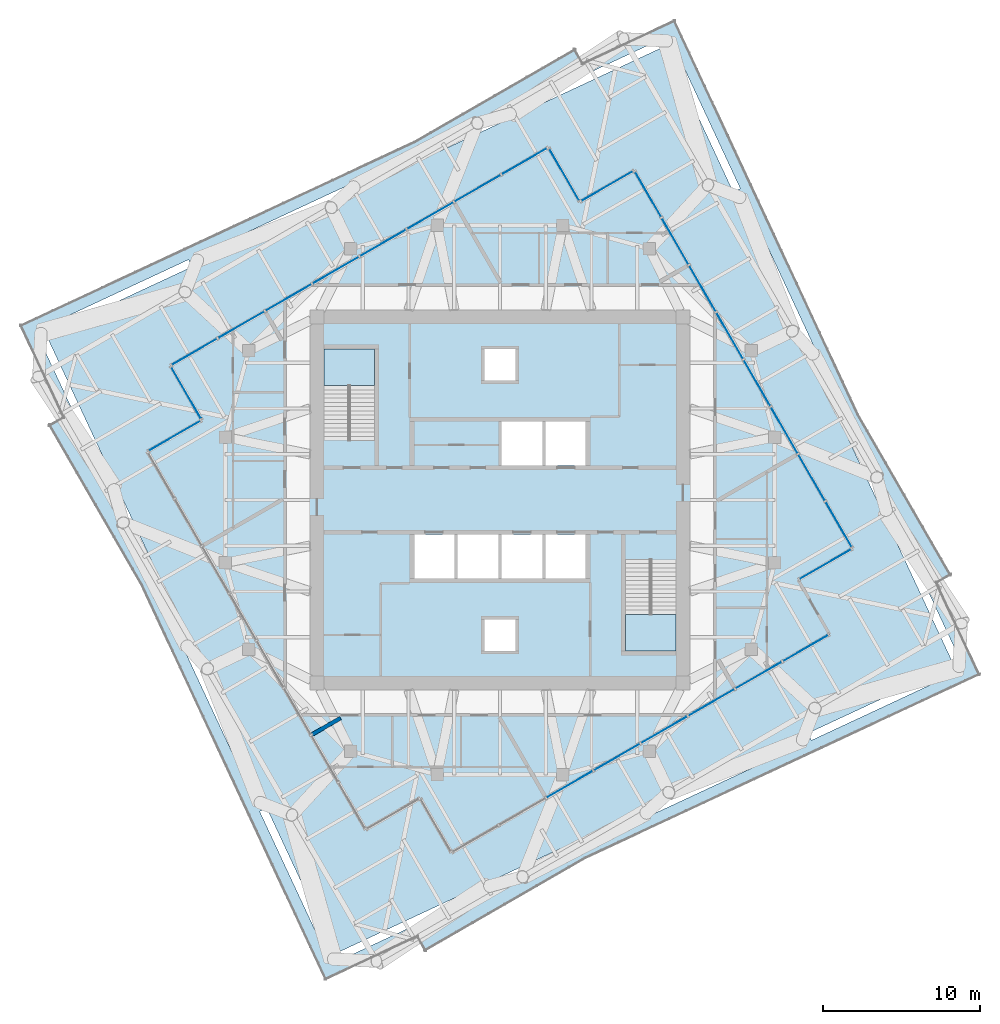
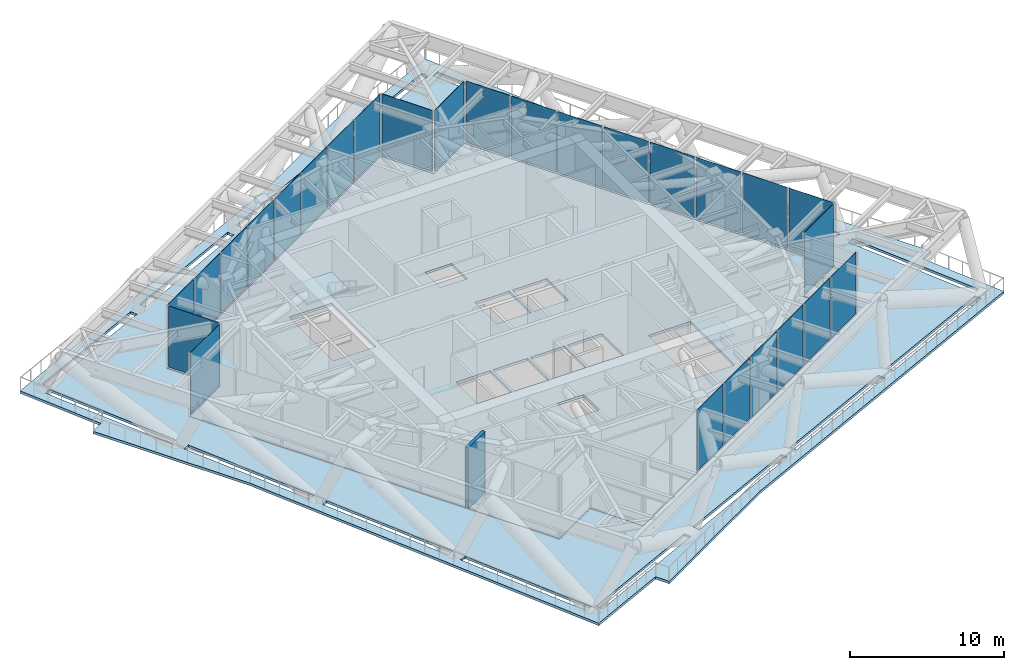
# One storey, part 7 of 12: 27 plates, 4 slabs, 1 wall, 10 elements without a shape of their own.
"""IFC4 building model written with IfcOpenShell, lengths in metres."""

from ifc_helpers import new_model, si_unit, direction, frame, frame_2d, origin, origin_2d, place, context, subcontext, project, spatial, polyline, rectangle, outline, extrude, material, layer, layer_set, type_object, element, aggregate, save


model = new_model("IFC4")

# Units and contexts
model_context = context("Model", 3, precision=1e-05, world=origin(), true_north=direction((0.0, 1.0)))
body_context = subcontext(model_context, "Body", "Model", "MODEL_VIEW")
ifc_project = project(units=[si_unit("LENGTHUNIT", "METRE"), si_unit("AREAUNIT", "SQUARE_METRE"), si_unit("VOLUMEUNIT", "CUBIC_METRE"), si_unit("PLANEANGLEUNIT", "RADIAN"), si_unit("MASSUNIT", "GRAM", prefix="KILO")], contexts=[model_context])

# Site, building, storey
site_placement = place(None, origin())
site = spatial("IfcSite", under=ifc_project, at=site_placement, CompositionType="ELEMENT")
building_placement = place(site_placement, origin())
building = spatial("IfcBuilding", under=site, at=building_placement, Name="Torsade Residences", CompositionType="ELEMENT")
storey_placement = place(building_placement, frame((0.0, 0.0, 203.199951171875)))
storey = spatial("IfcBuildingStorey", under=building, at=storey_placement, Name="L56", CompositionType="ELEMENT", Elevation=203.199951171875)

# Curtain wall, plates
ifc_material_1 = material(Name="Aluminium and glass", Category="aluminium")
curtain_wall_type = type_object("IfcCurtainWallType", Name="TRANSFER LEVEL CURTAIN WALL HIGH ZONE", PredefinedType="NOTDEFINED", material=ifc_material_1)
curtain_wall_1_placement = place(storey_placement, origin())
curtain_wall_1 = element("IfcCurtainWall", 1, at=curtain_wall_1_placement, inside=storey, type_object=curtain_wall_type, Name="Curtain wall L56 face 1", PredefinedType="NOTDEFINED")
ifc_material_2 = material(Name="Laminated glass", Category="glass")
ifc_layer_1 = layer(ifc_material_2, 0.02392578125)
ifc_layer_set_1 = layer_set([ifc_layer_1], Name="Laminated glass")
plate_type = type_object("IfcPlateType", Name="CLEAR GLASS PANEL", PredefinedType="CURTAIN_PANEL", material=ifc_layer_set_1)
plate_1_placement = place(storey_placement, frame((44.435791015625, 11.891845703125, 0.14013671875), z_axis=(0.0, 0.0, 1.0), x_axis=(0.86602540176, 0.500000003507, 0.0)))
plate_1 = element("IfcPlate", 2, at=plate_1_placement, type_object=plate_type, Name="Panel 3", PredefinedType="CURTAIN_PANEL", context=body_context, shape_type="SweptSolid", body=[
    extrude(rectangle(XDim=3.35498046875, YDim=0.02392578125, at=origin_2d()), origin(), (0.0, 0.0, 1.0), 4.860107421875),
])
plate_2_placement = place(storey_placement, frame((47.4453125, 13.62939453125, 0.14013671875), z_axis=(0.0, 0.0, 1.0), x_axis=(0.86602540176, 0.500000003507, 0.0)))
plate_2 = element("IfcPlate", 3, at=plate_2_placement, type_object=plate_type, Name="Panel 4", PredefinedType="CURTAIN_PANEL", context=body_context, shape_type="SweptSolid", body=[
    extrude(rectangle(XDim=3.35498046875, YDim=0.02392578125, at=origin_2d()), origin(), (0.0, 0.0, 1.0), 4.860107421875),
])
plate_3_placement = place(storey_placement, frame((50.454833984375, 15.366943359375, 0.14013671875), z_axis=(0.0, 0.0, 1.0), x_axis=(0.86602540176, 0.500000003507, 0.0)))
plate_3 = element("IfcPlate", 4, at=plate_3_placement, type_object=plate_type, Name="Panel 5", PredefinedType="CURTAIN_PANEL", context=body_context, shape_type="SweptSolid", body=[
    extrude(rectangle(XDim=3.35498046875, YDim=0.02392578125, at=origin_2d()), origin(), (0.0, 0.0, 1.0), 4.860107421875),
])
plate_4_placement = place(storey_placement, frame((53.464111328125, 17.1044921875, 0.14013671875), z_axis=(0.0, 0.0, 1.0), x_axis=(0.86602540176, 0.500000003507, 0.0)))
plate_4 = element("IfcPlate", 5, at=plate_4_placement, type_object=plate_type, Name="Panel 6", PredefinedType="CURTAIN_PANEL", context=body_context, shape_type="SweptSolid", body=[
    extrude(rectangle(XDim=3.35498046875, YDim=0.02392578125, at=origin_2d()), origin(), (0.0, 0.0, 1.0), 4.860107421875),
])
plate_5_placement = place(storey_placement, frame((56.4736328125, 18.841796875, 0.14013671875), z_axis=(0.0, 0.0, 1.0), x_axis=(0.86602540176, 0.500000003507, 0.0)))
plate_5 = element("IfcPlate", 6, at=plate_5_placement, type_object=plate_type, Name="Panel 7", PredefinedType="CURTAIN_PANEL", context=body_context, shape_type="SweptSolid", body=[
    extrude(rectangle(XDim=3.35498046875, YDim=0.02392578125, at=origin_2d()), origin(), (0.0, 0.0, 1.0), 4.860107421875),
])
plate_6_placement = place(storey_placement, frame((59.45703125, 20.564453125, 0.14013671875), z_axis=(0.0, 0.0, 1.0), x_axis=(0.86602540176, 0.500000003507, 0.0)))
plate_6 = element("IfcPlate", 7, at=plate_6_placement, type_object=plate_type, Name="Panel 8", PredefinedType="CURTAIN_PANEL", context=body_context, shape_type="SweptSolid", body=[
    extrude(rectangle(XDim=3.294921875, YDim=0.02392578125, at=origin_2d()), origin(), (0.0, 0.0, 1.0), 4.860107421875),
])
aggregate(curtain_wall_1, [plate_1, plate_2, plate_3, plate_4, plate_5, plate_6])

# Curtain wall, plate
curtain_wall_2_placement = place(storey_placement, origin())
curtain_wall_2 = element("IfcCurtainWall", 8, at=curtain_wall_2_placement, inside=storey, type_object=curtain_wall_type, Name="Curtain wall L56 face 3", PredefinedType="NOTDEFINED")
plate_7_placement = place(storey_placement, frame((60.7197265625, 25.912353515625, 0.14013671875), z_axis=(0.0, 0.0, 1.0), x_axis=(0.866025427835, 0.499999958343, 0.0)))
plate_7 = element("IfcPlate", 9, at=plate_7_placement, type_object=plate_type, Name="Panel 1", PredefinedType="CURTAIN_PANEL", context=body_context, shape_type="SweptSolid", body=[
    extrude(rectangle(XDim=3.760009765625, YDim=0.02392578125, at=origin_2d()), origin(), (0.0, 0.0, 1.0), 4.860107421875),
])
aggregate(curtain_wall_2, [plate_7])

# Curtain wall, plates
curtain_wall_3_placement = place(storey_placement, origin())
curtain_wall_3 = element("IfcCurtainWall", 10, at=curtain_wall_3_placement, inside=storey, type_object=curtain_wall_type, Name="Curtain wall L56 face 4", PredefinedType="NOTDEFINED")
plate_8_placement = place(storey_placement, frame((61.568115234375, 28.44287109375, 0.14013671875), z_axis=(0.0, 0.0, 1.0), x_axis=(-0.500000003507, 0.86602540176, 0.0)))
plate_8 = element("IfcPlate", 11, at=plate_8_placement, type_object=plate_type, Name="Panel 1", PredefinedType="CURTAIN_PANEL", context=body_context, shape_type="SweptSolid", body=[
    extrude(rectangle(XDim=3.294921875, YDim=0.02392578125, at=origin_2d()), origin(), (0.0, 0.0, 1.0), 4.860107421875),
])
plate_9_placement = place(storey_placement, frame((59.845703125, 31.426513671875, 0.14013671875), z_axis=(0.0, 0.0, 1.0), x_axis=(-0.500000003507, 0.86602540176, 0.0)))
plate_9 = element("IfcPlate", 12, at=plate_9_placement, type_object=plate_type, Name="Panel 2", PredefinedType="CURTAIN_PANEL", context=body_context, shape_type="SweptSolid", body=[
    extrude(rectangle(XDim=3.35498046875, YDim=0.02392578125, at=origin_2d()), origin(), (0.0, 0.0, 1.0), 4.860107421875),
])
plate_10_placement = place(storey_placement, frame((58.108154296875, 34.435791015625, 0.14013671875), z_axis=(0.0, 0.0, 1.0), x_axis=(-0.500000003507, 0.86602540176, 0.0)))
plate_10 = element("IfcPlate", 13, at=plate_10_placement, type_object=plate_type, Name="Panel 3", PredefinedType="CURTAIN_PANEL", context=body_context, shape_type="SweptSolid", body=[
    extrude(rectangle(XDim=3.35498046875, YDim=0.02392578125, at=origin_2d()), origin(), (0.0, 0.0, 1.0), 4.860107421875),
])
plate_11_placement = place(storey_placement, frame((56.37060546875, 37.4453125, 0.14013671875), z_axis=(0.0, 0.0, 1.0), x_axis=(-0.500000003507, 0.86602540176, 0.0)))
plate_11 = element("IfcPlate", 14, at=plate_11_placement, type_object=plate_type, Name="Panel 4", PredefinedType="CURTAIN_PANEL", context=body_context, shape_type="SweptSolid", body=[
    extrude(rectangle(XDim=3.35498046875, YDim=0.02392578125, at=origin_2d()), origin(), (0.0, 0.0, 1.0), 4.860107421875),
])
plate_12_placement = place(storey_placement, frame((54.633056640625, 40.454833984375, 0.14013671875), z_axis=(0.0, 0.0, 1.0), x_axis=(-0.500000003507, 0.86602540176, 0.0)))
plate_12 = element("IfcPlate", 15, at=plate_12_placement, type_object=plate_type, Name="Panel 5", PredefinedType="CURTAIN_PANEL", context=body_context, shape_type="SweptSolid", body=[
    extrude(rectangle(XDim=3.35498046875, YDim=0.02392578125, at=origin_2d()), origin(), (0.0, 0.0, 1.0), 4.860107421875),
])
plate_13_placement = place(storey_placement, frame((52.8955078125, 43.464111328125, 0.14013671875), z_axis=(0.0, 0.0, 1.0), x_axis=(-0.500000003507, 0.86602540176, 0.0)))
plate_13 = element("IfcPlate", 16, at=plate_13_placement, type_object=plate_type, Name="Panel 6", PredefinedType="CURTAIN_PANEL", context=body_context, shape_type="SweptSolid", body=[
    extrude(rectangle(XDim=3.35498046875, YDim=0.02392578125, at=origin_2d()), origin(), (0.0, 0.0, 1.0), 4.860107421875),
])
plate_14_placement = place(storey_placement, frame((51.158203125, 46.4736328125, 0.14013671875), z_axis=(0.0, 0.0, 1.0), x_axis=(-0.500000003507, 0.86602540176, 0.0)))
plate_14 = element("IfcPlate", 17, at=plate_14_placement, type_object=plate_type, Name="Panel 7", PredefinedType="CURTAIN_PANEL", context=body_context, shape_type="SweptSolid", body=[
    extrude(rectangle(XDim=3.35498046875, YDim=0.02392578125, at=origin_2d()), origin(), (0.0, 0.0, 1.0), 4.860107421875),
])
plate_15_placement = place(storey_placement, frame((49.435546875, 49.45703125, 0.14013671875), z_axis=(0.0, 0.0, 1.0), x_axis=(-0.500000003507, 0.86602540176, 0.0)))
plate_15 = element("IfcPlate", 18, at=plate_15_placement, type_object=plate_type, Name="Panel 8", PredefinedType="CURTAIN_PANEL", context=body_context, shape_type="SweptSolid", body=[
    extrude(rectangle(XDim=3.294921875, YDim=0.02392578125, at=origin_2d()), origin(), (0.0, 0.0, 1.0), 4.860107421875),
])
aggregate(curtain_wall_3, [plate_8, plate_9, plate_10, plate_11, plate_12, plate_13, plate_14, plate_15])

# Curtain wall, plate
curtain_wall_4_placement = place(storey_placement, origin())
curtain_wall_4 = element("IfcCurtainWall", 19, at=curtain_wall_4_placement, inside=storey, type_object=curtain_wall_type, Name="Curtain wall L56 face 5", PredefinedType="NOTDEFINED")
plate_16_placement = place(storey_placement, frame((46.81982421875, 49.98779296875, 0.14013671875), z_axis=(0.0, 0.0, 1.0), x_axis=(-0.866025427835, -0.499999958343, 0.0)))
plate_16 = element("IfcPlate", 20, at=plate_16_placement, type_object=plate_type, Name="Panel 1", PredefinedType="CURTAIN_PANEL", context=body_context, shape_type="SweptSolid", body=[
    extrude(rectangle(XDim=3.760009765625, YDim=0.02392578125, at=origin_2d()), origin(), (0.0, 0.0, 1.0), 4.860107421875),
])
aggregate(curtain_wall_4, [plate_16])

curtain_wall_5_placement = place(storey_placement, origin())
curtain_wall_5 = element("IfcCurtainWall", 21, at=curtain_wall_5_placement, inside=storey, type_object=curtain_wall_type, Name="Curtain wall L56 face 6", PredefinedType="NOTDEFINED")
plate_17_placement = place(storey_placement, frame((44.087646484375, 50.7197265625, 0.14013671875), z_axis=(0.0, 0.0, 1.0), x_axis=(-0.499999958343, 0.866025427835, 0.0)))
plate_17 = element("IfcPlate", 22, at=plate_17_placement, type_object=plate_type, Name="Panel 1", PredefinedType="CURTAIN_PANEL", context=body_context, shape_type="SweptSolid", body=[
    extrude(rectangle(XDim=3.760009765625, YDim=0.02392578125, at=origin_2d()), origin(), (0.0, 0.0, 1.0), 4.860107421875),
])
aggregate(curtain_wall_5, [plate_17])

# Curtain wall, plates
curtain_wall_6_placement = place(storey_placement, origin())
curtain_wall_6 = element("IfcCurtainWall", 23, at=curtain_wall_6_placement, inside=storey, type_object=curtain_wall_type, Name="Curtain wall L56 face 7", PredefinedType="NOTDEFINED")
plate_18_placement = place(storey_placement, frame((41.55712890625, 51.568115234375, 0.14013671875), z_axis=(0.0, 0.0, 1.0), x_axis=(-0.86602540176, -0.500000003507, 0.0)))
plate_18 = element("IfcPlate", 24, at=plate_18_placement, type_object=plate_type, Name="Panel 1", PredefinedType="CURTAIN_PANEL", context=body_context, shape_type="SweptSolid", body=[
    extrude(rectangle(XDim=3.294921875, YDim=0.02392578125, at=origin_2d()), origin(), (0.0, 0.0, 1.0), 4.860107421875),
])
plate_19_placement = place(storey_placement, frame((38.573486328125, 49.845703125, 0.14013671875), z_axis=(0.0, 0.0, 1.0), x_axis=(-0.86602540176, -0.500000003507, 0.0)))
plate_19 = element("IfcPlate", 25, at=plate_19_placement, type_object=plate_type, Name="Panel 2", PredefinedType="CURTAIN_PANEL", context=body_context, shape_type="SweptSolid", body=[
    extrude(rectangle(XDim=3.35498046875, YDim=0.02392578125, at=origin_2d()), origin(), (0.0, 0.0, 1.0), 4.860107421875),
])
plate_20_placement = place(storey_placement, frame((35.564208984375, 48.108154296875, 0.14013671875), z_axis=(0.0, 0.0, 1.0), x_axis=(-0.86602540176, -0.500000003507, 0.0)))
plate_20 = element("IfcPlate", 26, at=plate_20_placement, type_object=plate_type, Name="Panel 3", PredefinedType="CURTAIN_PANEL", context=body_context, shape_type="SweptSolid", body=[
    extrude(rectangle(XDim=3.35498046875, YDim=0.02392578125, at=origin_2d()), origin(), (0.0, 0.0, 1.0), 4.860107421875),
])
plate_21_placement = place(storey_placement, frame((32.5546875, 46.37060546875, 0.14013671875), z_axis=(0.0, 0.0, 1.0), x_axis=(-0.86602540176, -0.500000003507, 0.0)))
plate_21 = element("IfcPlate", 27, at=plate_21_placement, type_object=plate_type, Name="Panel 4", PredefinedType="CURTAIN_PANEL", context=body_context, shape_type="SweptSolid", body=[
    extrude(rectangle(XDim=3.35498046875, YDim=0.02392578125, at=origin_2d()), origin(), (0.0, 0.0, 1.0), 4.860107421875),
])
plate_22_placement = place(storey_placement, frame((29.545166015625, 44.633056640625, 0.14013671875), z_axis=(0.0, 0.0, 1.0), x_axis=(-0.86602540176, -0.500000003507, 0.0)))
plate_22 = element("IfcPlate", 28, at=plate_22_placement, type_object=plate_type, Name="Panel 5", PredefinedType="CURTAIN_PANEL", context=body_context, shape_type="SweptSolid", body=[
    extrude(rectangle(XDim=3.35498046875, YDim=0.02392578125, at=origin_2d()), origin(), (0.0, 0.0, 1.0), 4.860107421875),
])
plate_23_placement = place(storey_placement, frame((26.535888671875, 42.8955078125, 0.14013671875), z_axis=(0.0, 0.0, 1.0), x_axis=(-0.86602540176, -0.500000003507, 0.0)))
plate_23 = element("IfcPlate", 29, at=plate_23_placement, type_object=plate_type, Name="Panel 6", PredefinedType="CURTAIN_PANEL", context=body_context, shape_type="SweptSolid", body=[
    extrude(rectangle(XDim=3.35498046875, YDim=0.02392578125, at=origin_2d()), origin(), (0.0, 0.0, 1.0), 4.860107421875),
])
plate_24_placement = place(storey_placement, frame((23.5263671875, 41.158203125, 0.14013671875), z_axis=(0.0, 0.0, 1.0), x_axis=(-0.86602540176, -0.500000003507, 0.0)))
plate_24 = element("IfcPlate", 30, at=plate_24_placement, type_object=plate_type, Name="Panel 7", PredefinedType="CURTAIN_PANEL", context=body_context, shape_type="SweptSolid", body=[
    extrude(rectangle(XDim=3.35498046875, YDim=0.02392578125, at=origin_2d()), origin(), (0.0, 0.0, 1.0), 4.860107421875),
])
plate_25_placement = place(storey_placement, frame((20.54296875, 39.435546875, 0.14013671875), z_axis=(0.0, 0.0, 1.0), x_axis=(-0.86602540176, -0.500000003507, 0.0)))
plate_25 = element("IfcPlate", 31, at=plate_25_placement, type_object=plate_type, Name="Panel 8", PredefinedType="CURTAIN_PANEL", context=body_context, shape_type="SweptSolid", body=[
    extrude(rectangle(XDim=3.294921875, YDim=0.02392578125, at=origin_2d()), origin(), (0.0, 0.0, 1.0), 4.860107421875),
])
aggregate(curtain_wall_6, [plate_18, plate_19, plate_20, plate_21, plate_22, plate_23, plate_24, plate_25])

# Curtain wall, plate
curtain_wall_7_placement = place(storey_placement, origin())
curtain_wall_7 = element("IfcCurtainWall", 32, at=curtain_wall_7_placement, inside=storey, type_object=curtain_wall_type, Name="Curtain wall L56 face 8", PredefinedType="NOTDEFINED")
plate_26_placement = place(storey_placement, frame((20.01220703125, 36.81982421875, 0.14013671875), z_axis=(0.0, 0.0, 1.0), x_axis=(0.499999958343, -0.866025427835, 0.0)))
plate_26 = element("IfcPlate", 33, at=plate_26_placement, type_object=plate_type, Name="Panel 1", PredefinedType="CURTAIN_PANEL", context=body_context, shape_type="SweptSolid", body=[
    extrude(rectangle(XDim=3.760009765625, YDim=0.02392578125, at=origin_2d()), origin(), (0.0, 0.0, 1.0), 4.860107421875),
])
aggregate(curtain_wall_7, [plate_26])

curtain_wall_8_placement = place(storey_placement, origin())
curtain_wall_8 = element("IfcCurtainWall", 34, at=curtain_wall_8_placement, inside=storey, type_object=curtain_wall_type, Name="Curtain wall L56 face 9", PredefinedType="NOTDEFINED")
plate_27_placement = place(storey_placement, frame((19.2802734375, 34.087646484375, 0.14013671875), z_axis=(0.0, 0.0, 1.0), x_axis=(-0.866025427835, -0.499999958343, 0.0)))
plate_27 = element("IfcPlate", 35, at=plate_27_placement, type_object=plate_type, Name="Panel 1", PredefinedType="CURTAIN_PANEL", context=body_context, shape_type="SweptSolid", body=[
    extrude(rectangle(XDim=3.760009765625, YDim=0.02392578125, at=origin_2d()), origin(), (0.0, 0.0, 1.0), 4.860107421875),
])
aggregate(curtain_wall_8, [plate_27])

# Stair, slab
ifc_material_3 = material(Name="Precast concrete 40 MPa", Category="concrete")
stair_type = type_object("IfcStairType", Name="HALF-TURN FIRE STAIR 1500x5000", PredefinedType="HALF_TURN_STAIR", material=ifc_material_3)
stair_1_placement = place(storey_placement, origin())
stair_1 = element("IfcStair", 36, at=stair_1_placement, inside=storey, type_object=stair_type, Name="Stair ST1 L56", PredefinedType="HALF_TURN_STAIR")
ifc_material_4 = material(Name="Precast concrete 40 MPa", Category="concrete")
ifc_layer_2 = layer(ifc_material_4, 0.179931640625)
ifc_layer_set_2 = layer_set([ifc_layer_2], Name="Precast concrete 40 MPa")
slab_type_1 = type_object("IfcSlabType", Name="PRECAST STAIR LANDING 180", PredefinedType="LANDING", material=ifc_layer_set_2)
slab_1_placement = place(storey_placement, frame((0.0, 0.0, 2.320068359375)))
slab_1 = element("IfcSlab", 37, at=slab_1_placement, type_object=slab_type_1, Name="ST1 landing 1", PredefinedType="LANDING", context=body_context, shape_type="SweptSolid", body=[
    extrude(outline(polyline([(28.800048828125, 37.2900390625), (32.0, 37.2900390625), (32.0, 39.60009765625), (28.800048828125, 39.60009765625), (28.800048828125, 37.2900390625)])), origin(), (0.0, 0.0, 1.0), 0.179931640625),
])
aggregate(stair_1, [slab_1])

stair_2_placement = place(storey_placement, origin())
stair_2 = element("IfcStair", 38, at=stair_2_placement, inside=storey, type_object=stair_type, Name="Stair ST2 L56", PredefinedType="HALF_TURN_STAIR")
slab_2_placement = place(storey_placement, frame((0.0, 0.0, 2.320068359375)))
slab_2 = element("IfcSlab", 39, at=slab_2_placement, type_object=slab_type_1, Name="ST2 landing 1", PredefinedType="LANDING", context=body_context, shape_type="SweptSolid", body=[
    extrude(outline(polyline([(48.0, 20.39990234375), (51.199951171875, 20.39990234375), (51.199951171875, 22.7099609375), (48.0, 22.7099609375), (48.0, 20.39990234375)])), origin(), (0.0, 0.0, 1.0), 0.179931640625),
])
aggregate(stair_2, [slab_2])

# Slabs
ifc_material_5 = material(Name="Concrete 40 MPa", Category="concrete")
ifc_layer_3 = layer(ifc_material_5, 0.199951171875)
ifc_layer_set_3 = layer_set([ifc_layer_3], Name="Concrete 40 MPa")
slab_type_2 = type_object("IfcSlabType", Name="TRANSFER FLOOR SLAB 200", PredefinedType="FLOOR", material=ifc_layer_set_3)
slab_3_placement = place(storey_placement, frame((0.0, 0.0, -0.199951171875)))
element("IfcSlab", 40, at=slab_3_placement, inside=storey, type_object=slab_type_2, Name="Floor slab L56", PredefinedType="FLOOR", context=body_context, shape_type="SweptSolid", body=[
    extrude(outline(polyline([(36.912353515625, 7.548095703125), (60.98779296875, 21.4482421875), (58.98779296875, 24.912353515625), (62.451904296875, 26.912353515625), (48.5517578125, 50.98779296875), (45.087646484375, 48.98779296875), (43.087646484375, 52.451904296875), (19.01220703125, 38.5517578125), (21.01220703125, 35.087646484375), (17.548095703125, 33.087646484375), (31.4482421875, 9.01220703125), (34.912353515625, 11.01220703125), (36.912353515625, 7.548095703125)]), holes=[polyline([(51.199951171875, 26.1201171875), (48.0, 26.1201171875), (48.0, 20.39990234375), (51.199951171875, 20.39990234375), (51.199951171875, 26.1201171875)]), polyline([(45.5, 27.800048828125), (42.89990234375, 27.800048828125), (42.89990234375, 25.0), (45.5, 25.0), (45.5, 27.800048828125)]), polyline([(45.5, 35.0), (42.89990234375, 35.0), (42.89990234375, 32.199951171875), (45.5, 32.199951171875), (45.5, 35.0)]), polyline([(42.699951171875, 25.0), (42.699951171875, 27.800048828125), (40.10009765625, 27.800048828125), (40.10009765625, 25.0), (42.699951171875, 25.0)]), polyline([(42.699951171875, 35.0), (40.10009765625, 35.0), (40.10009765625, 32.199951171875), (42.699951171875, 32.199951171875), (42.699951171875, 35.0)]), polyline([(41.0, 22.39990234375), (39.0, 22.39990234375), (39.0, 20.39990234375), (41.0, 20.39990234375), (41.0, 22.39990234375)]), polyline([(41.0, 37.60009765625), (41.0, 39.60009765625), (39.0, 39.60009765625), (39.0, 37.60009765625), (41.0, 37.60009765625)]), polyline([(39.89990234375, 25.0), (39.89990234375, 27.800048828125), (37.300048828125, 27.800048828125), (37.300048828125, 25.0), (39.89990234375, 25.0)]), polyline([(37.10009765625, 27.800048828125), (34.5, 27.800048828125), (34.5, 25.0), (37.10009765625, 25.0), (37.10009765625, 27.800048828125)]), polyline([(32.0, 33.8798828125), (32.0, 39.60009765625), (28.800048828125, 39.60009765625), (28.800048828125, 33.8798828125), (32.0, 33.8798828125)])]), origin(), (0.0, 0.0, 1.0), 0.199951171875),
])
ifc_material_6 = material(Name="Concrete 40 MPa", Category="concrete")
ifc_layer_4 = layer(ifc_material_6, 0.199951171875)
ifc_layer_set_4 = layer_set([ifc_layer_4], Name="Concrete 40 MPa")
slab_type_3 = type_object("IfcSlabType", Name="TRANSFER LEDGE SLAB 200", PredefinedType="ROOF", material=ifc_layer_set_4)
slab_4_placement = place(storey_placement, frame((0.0, 0.0, -0.199951171875)))
element("IfcSlab", 41, at=slab_4_placement, inside=storey, type_object=slab_type_3, Name="Transfer ledge slab L56 north-west", PredefinedType="ROOF", context=body_context, shape_type="SweptSolid", body=[
    extrude(outline(polyline([(17.15478515625, 24.569091796875), (28.875244140625, -0.565185546875), (34.713134765625, 2.156982421875), (35.228515625, 1.264404296875), (45.430908203125, 7.15478515625), (70.565185546875, 18.875244140625), (67.843017578125, 24.713134765625), (68.735595703125, 25.228515625), (62.84521484375, 35.430908203125), (51.124755859375, 60.565185546875), (45.286865234375, 57.843017578125), (44.771484375, 58.735595703125), (34.569091796875, 52.84521484375), (9.434814453125, 41.124755859375), (12.156982421875, 35.286865234375), (11.264404296875, 34.771484375), (17.15478515625, 24.569091796875)]), holes=[polyline([(68.798583984375, 19.706298828125), (69.251708984375, 19.917724609375), (65.025390625, 28.980712890625), (64.572265625, 28.769287109375), (68.798583984375, 19.706298828125)]), polyline([(59.614501953125, 15.14794921875), (59.82568359375, 14.69482421875), (68.888916015625, 18.9208984375), (68.677490234375, 19.3740234375), (59.614501953125, 15.14794921875)]), polyline([(64.149658203125, 29.67578125), (64.602783203125, 29.886962890625), (60.376708984375, 38.9501953125), (59.923583984375, 38.73876953125), (64.149658203125, 29.67578125)]), polyline([(58.98779296875, 24.912353515625), (62.451904296875, 26.912353515625), (48.5517578125, 50.98779296875), (45.087646484375, 48.98779296875), (43.087646484375, 52.451904296875), (19.01220703125, 38.5517578125), (21.01220703125, 35.087646484375), (17.548095703125, 33.087646484375), (31.4482421875, 9.01220703125), (34.912353515625, 11.01220703125), (36.912353515625, 7.548095703125), (60.98779296875, 21.4482421875), (58.98779296875, 24.912353515625)]), polyline([(59.5009765625, 39.64501953125), (59.9541015625, 39.8564453125), (55.727783203125, 48.91943359375), (55.274658203125, 48.708251953125), (59.5009765625, 39.64501953125)]), polyline([(49.64501953125, 10.4990234375), (49.8564453125, 10.0458984375), (58.91943359375, 14.272216796875), (58.708251953125, 14.725341796875), (49.64501953125, 10.4990234375)]), polyline([(54.85205078125, 49.614501953125), (55.30517578125, 49.82568359375), (51.0791015625, 58.888916015625), (50.6259765625, 58.677490234375), (54.85205078125, 49.614501953125)]), polyline([(50.293701171875, 58.798583984375), (50.082275390625, 59.251708984375), (41.019287109375, 55.025390625), (41.230712890625, 54.572265625), (50.293701171875, 58.798583984375)]), polyline([(39.67578125, 5.850341796875), (39.886962890625, 5.397216796875), (48.9501953125, 9.623291015625), (48.73876953125, 10.076416015625), (39.67578125, 5.850341796875)]), polyline([(40.32421875, 54.149658203125), (40.113037109375, 54.602783203125), (31.0498046875, 50.376708984375), (31.26123046875, 49.923583984375), (40.32421875, 54.149658203125)]), polyline([(29.706298828125, 1.201416015625), (29.917724609375, 0.748291015625), (38.980712890625, 4.974609375), (38.769287109375, 5.427734375), (29.706298828125, 1.201416015625)]), polyline([(30.35498046875, 49.5009765625), (30.1435546875, 49.9541015625), (21.08056640625, 45.727783203125), (21.291748046875, 45.274658203125), (30.35498046875, 49.5009765625)]), polyline([(25.14794921875, 10.385498046875), (24.69482421875, 10.17431640625), (28.9208984375, 1.111083984375), (29.3740234375, 1.322509765625), (25.14794921875, 10.385498046875)]), polyline([(20.4990234375, 20.35498046875), (20.0458984375, 20.1435546875), (24.272216796875, 11.08056640625), (24.725341796875, 11.291748046875), (20.4990234375, 20.35498046875)]), polyline([(20.385498046875, 44.85205078125), (20.17431640625, 45.30517578125), (11.111083984375, 41.0791015625), (11.322509765625, 40.6259765625), (20.385498046875, 44.85205078125)]), polyline([(15.850341796875, 30.32421875), (15.397216796875, 30.113037109375), (19.623291015625, 21.0498046875), (20.076416015625, 21.26123046875), (15.850341796875, 30.32421875)]), polyline([(11.201416015625, 40.293701171875), (10.748291015625, 40.082275390625), (14.974609375, 31.019287109375), (15.427734375, 31.230712890625), (11.201416015625, 40.293701171875)])]), origin(), (0.0, 0.0, 1.0), 0.199951171875),
])

# Wall
ifc_material_7 = material(Name="Masonry-lined stud party wall", Category="masonry")
ifc_layer_5 = layer(ifc_material_7, 0.25)
ifc_layer_set_5 = layer_set([ifc_layer_5], Name="Masonry-lined stud party wall")
wall_type = type_object("IfcWallType", Name="PARTY WALL 250", PredefinedType="PARTITIONING", material=ifc_layer_set_5)
wall_placement = place(storey_placement, frame((27.97314453125, 15.031005859375, 0.0), z_axis=(0.0, 0.0, 1.0), x_axis=(0.865974878747, 0.500087501723, 0.0)))
element("IfcWall", 42, at=wall_placement, inside=storey, type_object=wall_type, Name="Party wall L56", PredefinedType="PARTITIONING", context=body_context, shape_type="SweptSolid", body=[
    extrude(rectangle(XDim=2.1611328125, YDim=0.25, at=frame_2d((1.08056640625, 0.0))), origin(), (0.0, 0.0, 1.0), 4.85009765625),
])

save(model, "model.ifc")
